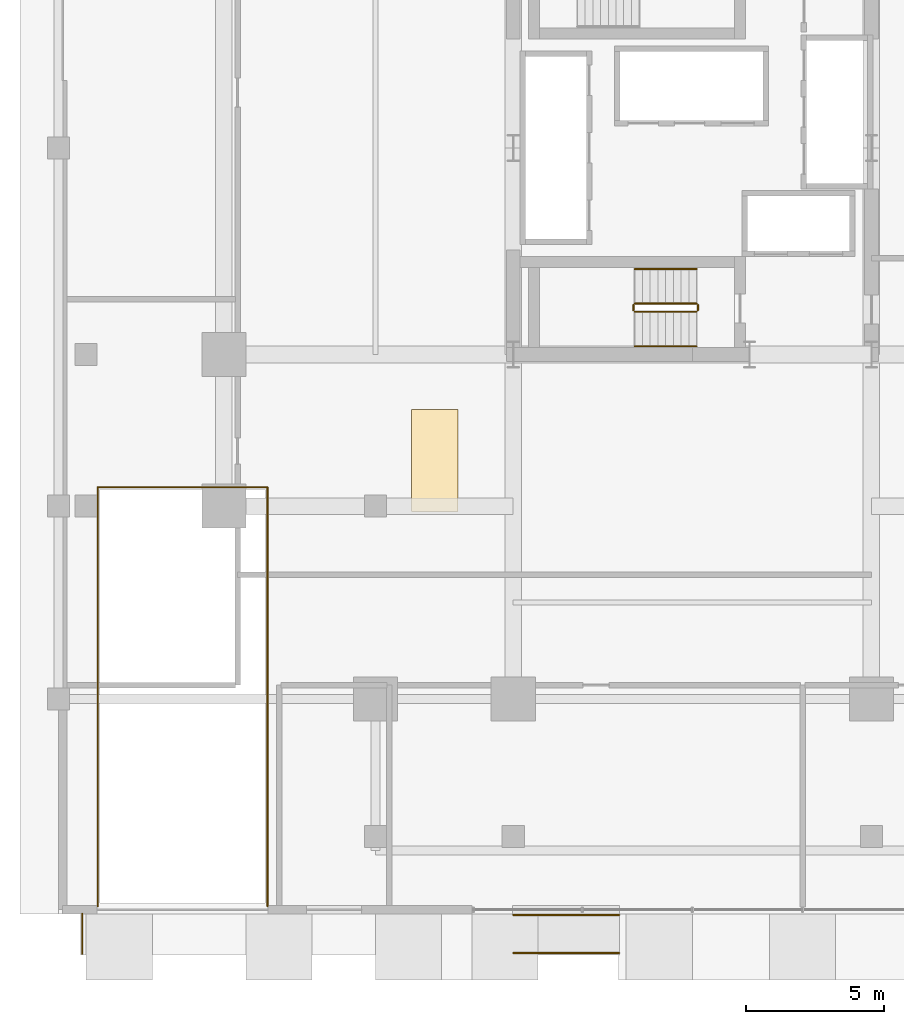
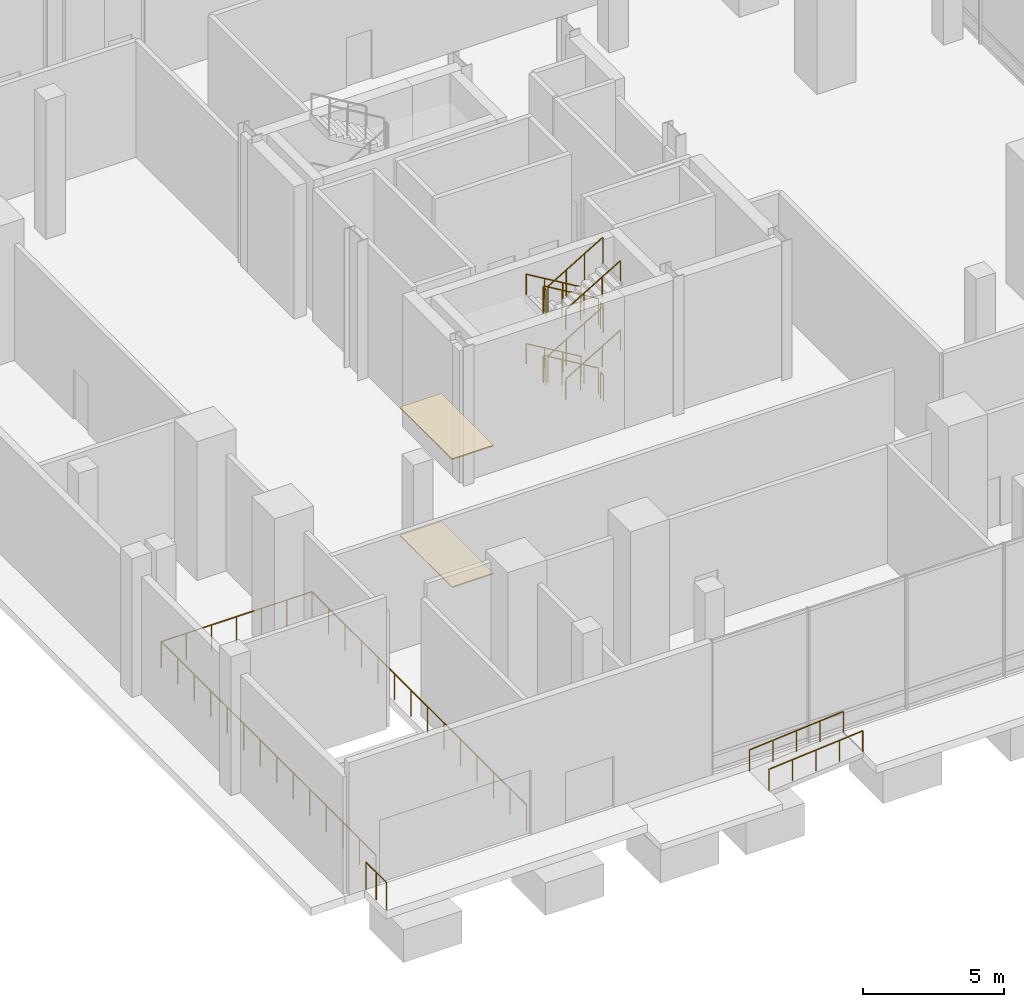
# One storey, part 30 of 34: 18 railings, 2 coverings.
"""IFC4 building model written with IfcOpenShell, lengths in metres."""

from ifc_helpers import new_model, si_unit, direction, frame, origin, origin_2d, place, context, subcontext, project, spatial, polyline, circle, outline, extrude, material, layer, layer_set, type_object, element, save


model = new_model("IFC4")

# Units and contexts
model_context = context("Model", 3, precision=1e-05, world=origin(), true_north=direction((0.0, 1.0)))
body_context = subcontext(model_context, "Body", "Model", "MODEL_VIEW")
ifc_project = project(units=[si_unit("LENGTHUNIT", "METRE"), si_unit("AREAUNIT", "SQUARE_METRE"), si_unit("VOLUMEUNIT", "CUBIC_METRE"), si_unit("PLANEANGLEUNIT", "RADIAN"), si_unit("MASSUNIT", "GRAM", prefix="KILO")], contexts=[model_context])

# Site, building, storey
site_placement = place(None, origin())
site = spatial("IfcSite", under=ifc_project, at=site_placement, CompositionType="ELEMENT")
building_placement = place(site_placement, origin())
building = spatial("IfcBuilding", under=site, at=building_placement, Name="Barlavira Tower and Art Museum", CompositionType="ELEMENT")
storey_placement = place(building_placement, origin())
storey = spatial("IfcBuildingStorey", under=building, at=storey_placement, Name="L00", CompositionType="ELEMENT", Elevation=0.0)

# Covering
ifc_material_1 = material(Name="Polished Catarinense terrazzo", Category="concrete")
ifc_layer_1 = layer(ifc_material_1, 0.0400390625, Name="Polished Catarinense terrazzo")
ifc_layer_set_1 = layer_set([ifc_layer_1], Name="Polished Catarinense terrazzo")
covering_type_1 = type_object("IfcCoveringType", Name="Gallery Terrazzo Architectural Flooring 40", PredefinedType="FLOORING", material=ifc_layer_set_1)
covering_1_placement = place(storey_placement, origin())
element("IfcCovering", 1, at=covering_1_placement, inside=storey, type_object=covering_type_1, Name="L00 Lobby Terrazzo Flooring", PredefinedType="FLOORING", context=body_context, shape_type="SweptSolid", body=[
    extrude(outline(polyline([(-10.199951171875, -13.199951171875), (-8.5, -13.199951171875), (-8.5, -9.5), (-10.199951171875, -9.5), (-10.199951171875, -13.199951171875)])), origin(), (0.0, 0.0, 1.0), 0.0400390625),
])

# Railings
ifc_material_2 = material(Name="Brushed stainless steel", Category="steel")
railing_type_1 = type_object("IfcRailingType", Name="Interior Void and Landing Guard Railing 1150", PredefinedType="GUARDRAIL", material=ifc_material_2)
railing_1_placement = place(storey_placement, frame((0.14990234375, -5.64990234375, 0.166748046875)))
element("IfcRailing", 2, at=railing_1_placement, inside=storey, type_object=railing_type_1, Name="L00 ST-T1 stair guard 1", PredefinedType="GUARDRAIL", context=body_context, shape_type="SweptSolid", body=[
    extrude(circle(Radius=0.02392578125, at=origin_2d()), frame((0.0, 0.0, 1.1259765625), z_axis=(-0.859305625298, 0.0, 0.511462454469), x_axis=(0.0, -1.0, 0.0)), (0.0, 0.0, 1.0), 2.606689453125),
    extrude(circle(Radius=0.02099609375, at=origin_2d()), origin(), (0.0, 0.0, 1.0), 1.101806640625),
    extrude(circle(Radius=0.02099609375, at=origin_2d()), frame((-0.74658203125, 0.0, 0.4443359375)), (0.0, 0.0, 1.0), 1.101806640625),
    extrude(circle(Radius=0.02099609375, at=origin_2d()), frame((-1.493408203125, 0.0, 0.888916015625)), (0.0, 0.0, 1.0), 1.101806640625),
    extrude(circle(Radius=0.02099609375, at=origin_2d()), frame((-2.239990234375, 0.0, 1.333251953125)), (0.0, 0.0, 1.0), 1.101806640625),
])
railing_2_placement = place(storey_placement, frame((-2.139892578125, -5.699951171875, 1.5)))
element("IfcRailing", 3, at=railing_2_placement, inside=storey, type_object=railing_type_1, Name="L00 ST-T1 stair guard 2", PredefinedType="GUARDRAIL", context=body_context, shape_type="SweptSolid", body=[
    extrude(circle(Radius=0.02392578125, at=origin_2d()), frame((0.0, 0.0, 1.1259765625), z_axis=(0.0, -1.0, 0.0), x_axis=(1.0, 0.0, 0.0)), (0.0, 0.0, 1.0), 0.199951171875),
    extrude(circle(Radius=0.02099609375, at=origin_2d()), origin(), (0.0, 0.0, 1.0), 1.101806640625),
    extrude(circle(Radius=0.02099609375, at=origin_2d()), frame((0.0, -0.199951171875, 0.0)), (0.0, 0.0, 1.0), 1.101806640625),
])
railing_3_placement = place(storey_placement, frame((-2.090087890625, -5.949951171875, 1.666748046875)))
element("IfcRailing", 4, at=railing_3_placement, inside=storey, type_object=railing_type_1, Name="L00 ST-T1 stair guard 3", PredefinedType="GUARDRAIL", context=body_context, shape_type="SweptSolid", body=[
    extrude(circle(Radius=0.02392578125, at=origin_2d()), frame((0.0, 0.0, 1.1259765625), z_axis=(0.859305625298, 0.0, 0.511462454469), x_axis=(0.0, 1.0, 0.0)), (0.0, 0.0, 1.0), 2.606689453125),
    extrude(circle(Radius=0.02099609375, at=origin_2d()), origin(), (0.0, 0.0, 1.0), 1.101806640625),
    extrude(circle(Radius=0.02099609375, at=origin_2d()), frame((0.74658203125, 0.0, 0.4443359375)), (0.0, 0.0, 1.0), 1.101806640625),
    extrude(circle(Radius=0.02099609375, at=origin_2d()), frame((1.493408203125, 0.0, 0.888916015625)), (0.0, 0.0, 1.0), 1.101806640625),
    extrude(circle(Radius=0.02099609375, at=origin_2d()), frame((2.239990234375, 0.0, 1.333251953125)), (0.0, 0.0, 1.0), 1.101806640625),
])
railing_4_placement = place(storey_placement, frame((0.199951171875, -5.699951171875, 3.0)))
element("IfcRailing", 5, at=railing_4_placement, inside=storey, type_object=railing_type_1, Name="L00 ST-T1 stair guard 4", PredefinedType="GUARDRAIL", context=body_context, shape_type="SweptSolid", body=[
    extrude(circle(Radius=0.02392578125, at=origin_2d()), frame((0.0, 0.0, 1.1259765625), z_axis=(0.0, -1.0, 0.0), x_axis=(1.0, 0.0, 0.0)), (0.0, 0.0, 1.0), 0.199951171875),
    extrude(circle(Radius=0.02099609375, at=origin_2d()), origin(), (0.0, 0.0, 1.0), 1.101806640625),
    extrude(circle(Radius=0.02099609375, at=origin_2d()), frame((0.0, -0.199951171875, 0.0)), (0.0, 0.0, 1.0), 1.101806640625),
])
railing_5_placement = place(storey_placement, frame((0.14990234375, -5.64990234375, 3.166748046875)))
element("IfcRailing", 6, at=railing_5_placement, inside=storey, type_object=railing_type_1, Name="L00 ST-T1 stair guard 5", PredefinedType="GUARDRAIL", context=body_context, shape_type="SweptSolid", body=[
    extrude(circle(Radius=0.02392578125, at=origin_2d()), frame((0.0, 0.0, 1.1259765625), z_axis=(-0.859305625298, 0.0, 0.511462454469), x_axis=(0.0, -1.0, 0.0)), (0.0, 0.0, 1.0), 2.606689453125),
    extrude(circle(Radius=0.02099609375, at=origin_2d()), origin(), (0.0, 0.0, 1.0), 1.101806640625),
    extrude(circle(Radius=0.02099609375, at=origin_2d()), frame((-0.74658203125, 0.0, 0.4443359375)), (0.0, 0.0, 1.0), 1.101806640625),
    extrude(circle(Radius=0.02099609375, at=origin_2d()), frame((-1.493408203125, 0.0, 0.888916015625)), (0.0, 0.0, 1.0), 1.101806640625),
    extrude(circle(Radius=0.02099609375, at=origin_2d()), frame((-2.239990234375, 0.0, 1.333251953125)), (0.0, 0.0, 1.0), 1.101806640625),
])
railing_6_placement = place(storey_placement, frame((-2.139892578125, -5.699951171875, 4.5)))
element("IfcRailing", 7, at=railing_6_placement, inside=storey, type_object=railing_type_1, Name="L00 ST-T1 stair guard 6", PredefinedType="GUARDRAIL", context=body_context, shape_type="SweptSolid", body=[
    extrude(circle(Radius=0.02392578125, at=origin_2d()), frame((0.0, 0.0, 1.1259765625), z_axis=(0.0, -1.0, 0.0), x_axis=(1.0, 0.0, 0.0)), (0.0, 0.0, 1.0), 0.199951171875),
    extrude(circle(Radius=0.02099609375, at=origin_2d()), origin(), (0.0, 0.0, 1.0), 1.101806640625),
    extrude(circle(Radius=0.02099609375, at=origin_2d()), frame((0.0, -0.199951171875, 0.0)), (0.0, 0.0, 1.0), 1.101806640625),
])
railing_7_placement = place(storey_placement, frame((-2.090087890625, -5.949951171875, 4.666748046875)))
element("IfcRailing", 8, at=railing_7_placement, inside=storey, type_object=railing_type_1, Name="L00 ST-T1 stair guard 7", PredefinedType="GUARDRAIL", context=body_context, shape_type="SweptSolid", body=[
    extrude(circle(Radius=0.02392578125, at=origin_2d()), frame((0.0, 0.0, 1.1259765625), z_axis=(0.859305625298, 0.0, 0.511462454469), x_axis=(0.0, 1.0, 0.0)), (0.0, 0.0, 1.0), 2.606689453125),
    extrude(circle(Radius=0.02099609375, at=origin_2d()), origin(), (0.0, 0.0, 1.0), 1.101806640625),
    extrude(circle(Radius=0.02099609375, at=origin_2d()), frame((0.74658203125, 0.0, 0.4443359375)), (0.0, 0.0, 1.0), 1.101806640625),
    extrude(circle(Radius=0.02099609375, at=origin_2d()), frame((1.493408203125, 0.0, 0.888916015625)), (0.0, 0.0, 1.0), 1.101806640625),
    extrude(circle(Radius=0.02099609375, at=origin_2d()), frame((2.239990234375, 0.0, 1.333251953125)), (0.0, 0.0, 1.0), 1.101806640625),
])
railing_8_placement = place(storey_placement, frame((0.199951171875, -5.699951171875, 0.0)))
element("IfcRailing", 9, at=railing_8_placement, inside=storey, type_object=railing_type_1, Name="L00 ST-T1 stair guard 8", PredefinedType="GUARDRAIL", context=body_context, shape_type="SweptSolid", body=[
    extrude(circle(Radius=0.02392578125, at=origin_2d()), frame((0.0, 0.0, 1.1259765625), z_axis=(0.0, -1.0, 0.0), x_axis=(1.0, 0.0, 0.0)), (0.0, 0.0, 1.0), 0.199951171875),
    extrude(circle(Radius=0.02099609375, at=origin_2d()), origin(), (0.0, 0.0, 1.0), 1.101806640625),
    extrude(circle(Radius=0.02099609375, at=origin_2d()), frame((0.0, -0.199951171875, 0.0)), (0.0, 0.0, 1.0), 1.101806640625),
])
railing_9_placement = place(storey_placement, frame((-21.580078125, -27.52001953125, 0.0)))
element("IfcRailing", 10, at=railing_9_placement, inside=storey, type_object=railing_type_1, Name="L00 Vehicle Ramp West Deck Guard", PredefinedType="GUARDRAIL", context=body_context, shape_type="SweptSolid", body=[
    extrude(circle(Radius=0.02392578125, at=origin_2d()), frame((0.0, 0.0, 1.1259765625), z_axis=(0.0, 1.0, 0.0), x_axis=(-1.0, 0.0, 0.0)), (0.0, 0.0, 1.0), 15.199951171875),
    extrude(circle(Radius=0.02099609375, at=origin_2d()), origin(), (0.0, 0.0, 1.0), 1.101806640625),
    extrude(circle(Radius=0.02099609375, at=origin_2d()), frame((0.0, 1.169189453125, 0.0)), (0.0, 0.0, 1.0), 1.101806640625),
    extrude(circle(Radius=0.02099609375, at=origin_2d()), frame((0.0, 2.33837890625, 0.0)), (0.0, 0.0, 1.0), 1.101806640625),
    extrude(circle(Radius=0.02099609375, at=origin_2d()), frame((0.0, 3.507568359375, 0.0)), (0.0, 0.0, 1.0), 1.101806640625),
    extrude(circle(Radius=0.02099609375, at=origin_2d()), frame((0.0, 4.677001953125, 0.0)), (0.0, 0.0, 1.0), 1.101806640625),
    extrude(circle(Radius=0.02099609375, at=origin_2d()), frame((0.0, 5.84619140625, 0.0)), (0.0, 0.0, 1.0), 1.101806640625),
    extrude(circle(Radius=0.02099609375, at=origin_2d()), frame((0.0, 7.015380859375, 0.0)), (0.0, 0.0, 1.0), 1.101806640625),
    extrude(circle(Radius=0.02099609375, at=origin_2d()), frame((0.0, 8.1845703125, 0.0)), (0.0, 0.0, 1.0), 1.101806640625),
    extrude(circle(Radius=0.02099609375, at=origin_2d()), frame((0.0, 9.353759765625, 0.0)), (0.0, 0.0, 1.0), 1.101806640625),
    extrude(circle(Radius=0.02099609375, at=origin_2d()), frame((0.0, 10.52294921875, 0.0)), (0.0, 0.0, 1.0), 1.101806640625),
    extrude(circle(Radius=0.02099609375, at=origin_2d()), frame((0.0, 11.6923828125, 0.0)), (0.0, 0.0, 1.0), 1.101806640625),
    extrude(circle(Radius=0.02099609375, at=origin_2d()), frame((0.0, 12.861572265625, 0.0)), (0.0, 0.0, 1.0), 1.101806640625),
    extrude(circle(Radius=0.02099609375, at=origin_2d()), frame((0.0, 14.03076171875, 0.0)), (0.0, 0.0, 1.0), 1.101806640625),
    extrude(circle(Radius=0.02099609375, at=origin_2d()), frame((0.0, 15.199951171875, 0.0)), (0.0, 0.0, 1.0), 1.101806640625),
])
railing_10_placement = place(storey_placement, frame((-15.419921875, -27.52001953125, 0.0)))
element("IfcRailing", 11, at=railing_10_placement, inside=storey, type_object=railing_type_1, Name="L00 Vehicle Ramp East Deck Guard", PredefinedType="GUARDRAIL", context=body_context, shape_type="SweptSolid", body=[
    extrude(circle(Radius=0.02392578125, at=origin_2d()), frame((0.0, 0.0, 1.1259765625), z_axis=(0.0, 1.0, 0.0), x_axis=(-1.0, 0.0, 0.0)), (0.0, 0.0, 1.0), 15.199951171875),
    extrude(circle(Radius=0.02099609375, at=origin_2d()), origin(), (0.0, 0.0, 1.0), 1.101806640625),
    extrude(circle(Radius=0.02099609375, at=origin_2d()), frame((0.0, 1.169189453125, 0.0)), (0.0, 0.0, 1.0), 1.101806640625),
    extrude(circle(Radius=0.02099609375, at=origin_2d()), frame((0.0, 2.33837890625, 0.0)), (0.0, 0.0, 1.0), 1.101806640625),
    extrude(circle(Radius=0.02099609375, at=origin_2d()), frame((0.0, 3.507568359375, 0.0)), (0.0, 0.0, 1.0), 1.101806640625),
    extrude(circle(Radius=0.02099609375, at=origin_2d()), frame((0.0, 4.677001953125, 0.0)), (0.0, 0.0, 1.0), 1.101806640625),
    extrude(circle(Radius=0.02099609375, at=origin_2d()), frame((0.0, 5.84619140625, 0.0)), (0.0, 0.0, 1.0), 1.101806640625),
    extrude(circle(Radius=0.02099609375, at=origin_2d()), frame((0.0, 7.015380859375, 0.0)), (0.0, 0.0, 1.0), 1.101806640625),
    extrude(circle(Radius=0.02099609375, at=origin_2d()), frame((0.0, 8.1845703125, 0.0)), (0.0, 0.0, 1.0), 1.101806640625),
    extrude(circle(Radius=0.02099609375, at=origin_2d()), frame((0.0, 9.353759765625, 0.0)), (0.0, 0.0, 1.0), 1.101806640625),
    extrude(circle(Radius=0.02099609375, at=origin_2d()), frame((0.0, 10.52294921875, 0.0)), (0.0, 0.0, 1.0), 1.101806640625),
    extrude(circle(Radius=0.02099609375, at=origin_2d()), frame((0.0, 11.6923828125, 0.0)), (0.0, 0.0, 1.0), 1.101806640625),
    extrude(circle(Radius=0.02099609375, at=origin_2d()), frame((0.0, 12.861572265625, 0.0)), (0.0, 0.0, 1.0), 1.101806640625),
    extrude(circle(Radius=0.02099609375, at=origin_2d()), frame((0.0, 14.03076171875, 0.0)), (0.0, 0.0, 1.0), 1.101806640625),
    extrude(circle(Radius=0.02099609375, at=origin_2d()), frame((0.0, 15.199951171875, 0.0)), (0.0, 0.0, 1.0), 1.101806640625),
])
railing_11_placement = place(storey_placement, frame((-21.580078125, -12.320068359375, 0.0)))
element("IfcRailing", 12, at=railing_11_placement, inside=storey, type_object=railing_type_1, Name="L00 Vehicle Ramp North Head Guard", PredefinedType="GUARDRAIL", context=body_context, shape_type="SweptSolid", body=[
    extrude(circle(Radius=0.02392578125, at=origin_2d()), frame((0.0, 0.0, 1.1259765625), z_axis=(1.0, 0.0, 0.0), x_axis=(0.0, 1.0, 0.0)), (0.0, 0.0, 1.0), 6.16015625),
    extrude(circle(Radius=0.02099609375, at=origin_2d()), origin(), (0.0, 0.0, 1.0), 1.101806640625),
    extrude(circle(Radius=0.02099609375, at=origin_2d()), frame((1.026611328125, 0.0, 0.0)), (0.0, 0.0, 1.0), 1.101806640625),
    extrude(circle(Radius=0.02099609375, at=origin_2d()), frame((2.053466796875, 0.0, 0.0)), (0.0, 0.0, 1.0), 1.101806640625),
    extrude(circle(Radius=0.02099609375, at=origin_2d()), frame((3.080078125, 0.0, 0.0)), (0.0, 0.0, 1.0), 1.101806640625),
    extrude(circle(Radius=0.02099609375, at=origin_2d()), frame((4.106689453125, 0.0, 0.0)), (0.0, 0.0, 1.0), 1.101806640625),
    extrude(circle(Radius=0.02099609375, at=origin_2d()), frame((5.133544921875, 0.0, 0.0)), (0.0, 0.0, 1.0), 1.101806640625),
    extrude(circle(Radius=0.02099609375, at=origin_2d()), frame((6.16015625, 0.0, 0.0)), (0.0, 0.0, 1.0), 1.101806640625),
])

# Covering
ifc_material_3 = material(Name="FSC acoustic timber slat", Category="wood")
ifc_layer_2 = layer(ifc_material_3, 0.050048828125, Name="FSC acoustic timber slat")
ifc_layer_set_2 = layer_set([ifc_layer_2], Name="FSC acoustic timber slat")
covering_type_2 = type_object("IfcCoveringType", Name="Lobby Acoustic Timber-Slat Suspended Ceiling 50", PredefinedType="CEILING", material=ifc_layer_set_2)
covering_2_placement = place(storey_placement, frame((0.0, 0.0, 5.52001953125)))
element("IfcCovering", 13, at=covering_2_placement, inside=storey, type_object=covering_type_2, Name="L00 Lobby Acoustic Timber Ceiling", PredefinedType="CEILING", context=body_context, shape_type="SweptSolid", body=[
    extrude(outline(polyline([(-10.199951171875, -13.199951171875), (-8.5, -13.199951171875), (-8.5, -9.5), (-10.199951171875, -9.5), (-10.199951171875, -13.199951171875)])), origin(), (0.0, 0.0, 1.0), 0.050048828125),
])

# Railings
railing_type_2 = type_object("IfcRailingType", Name="Stair Pitch Tubular Steel Handrail 920", PredefinedType="HANDRAIL", material=ifc_material_2)
railing_12_placement = place(storey_placement, frame((0.14990234375, -4.39990234375, 0.166748046875)))
element("IfcRailing", 14, at=railing_12_placement, inside=storey, type_object=railing_type_2, Name="L00 ST-T1 stair handrail 1", PredefinedType="HANDRAIL", context=body_context, shape_type="SweptSolid", body=[
    extrude(circle(Radius=0.02392578125, at=origin_2d()), frame((0.0, 0.0, 0.8759765625), z_axis=(-0.859305625298, 0.0, 0.511462454469), x_axis=(0.0, -1.0, 0.0)), (0.0, 0.0, 1.0), 2.606689453125),
    extrude(circle(Radius=0.02099609375, at=origin_2d()), origin(), (0.0, 0.0, 1.0), 0.851806640625),
    extrude(circle(Radius=0.02099609375, at=origin_2d()), frame((-0.74658203125, 0.0, 0.4443359375)), (0.0, 0.0, 1.0), 0.851806640625),
    extrude(circle(Radius=0.02099609375, at=origin_2d()), frame((-1.493408203125, 0.0, 0.888916015625)), (0.0, 0.0, 1.0), 0.851806640625),
    extrude(circle(Radius=0.02099609375, at=origin_2d()), frame((-2.239990234375, 0.0, 1.333251953125)), (0.0, 0.0, 1.0), 0.851806640625),
])
railing_13_placement = place(storey_placement, frame((-2.090087890625, -7.199951171875, 1.666748046875)))
element("IfcRailing", 15, at=railing_13_placement, inside=storey, type_object=railing_type_2, Name="L00 ST-T1 stair handrail 2", PredefinedType="HANDRAIL", context=body_context, shape_type="SweptSolid", body=[
    extrude(circle(Radius=0.02392578125, at=origin_2d()), frame((0.0, 0.0, 0.8759765625), z_axis=(0.859305625298, 0.0, 0.511462454469), x_axis=(0.0, 1.0, 0.0)), (0.0, 0.0, 1.0), 2.606689453125),
    extrude(circle(Radius=0.02099609375, at=origin_2d()), origin(), (0.0, 0.0, 1.0), 0.851806640625),
    extrude(circle(Radius=0.02099609375, at=origin_2d()), frame((0.74658203125, 0.0, 0.4443359375)), (0.0, 0.0, 1.0), 0.851806640625),
    extrude(circle(Radius=0.02099609375, at=origin_2d()), frame((1.493408203125, 0.0, 0.888916015625)), (0.0, 0.0, 1.0), 0.851806640625),
    extrude(circle(Radius=0.02099609375, at=origin_2d()), frame((2.239990234375, 0.0, 1.333251953125)), (0.0, 0.0, 1.0), 0.851806640625),
])
railing_14_placement = place(storey_placement, frame((0.14990234375, -4.39990234375, 3.166748046875)))
element("IfcRailing", 16, at=railing_14_placement, inside=storey, type_object=railing_type_2, Name="L00 ST-T1 stair handrail 3", PredefinedType="HANDRAIL", context=body_context, shape_type="SweptSolid", body=[
    extrude(circle(Radius=0.02392578125, at=origin_2d()), frame((0.0, 0.0, 0.8759765625), z_axis=(-0.859305625298, 0.0, 0.511462454469), x_axis=(0.0, -1.0, 0.0)), (0.0, 0.0, 1.0), 2.606689453125),
    extrude(circle(Radius=0.02099609375, at=origin_2d()), origin(), (0.0, 0.0, 1.0), 0.851806640625),
    extrude(circle(Radius=0.02099609375, at=origin_2d()), frame((-0.74658203125, 0.0, 0.4443359375)), (0.0, 0.0, 1.0), 0.851806640625),
    extrude(circle(Radius=0.02099609375, at=origin_2d()), frame((-1.493408203125, 0.0, 0.888916015625)), (0.0, 0.0, 1.0), 0.851806640625),
    extrude(circle(Radius=0.02099609375, at=origin_2d()), frame((-2.239990234375, 0.0, 1.333251953125)), (0.0, 0.0, 1.0), 0.851806640625),
])
railing_15_placement = place(storey_placement, frame((-2.090087890625, -7.199951171875, 4.666748046875)))
element("IfcRailing", 17, at=railing_15_placement, inside=storey, type_object=railing_type_2, Name="L00 ST-T1 stair handrail 4", PredefinedType="HANDRAIL", context=body_context, shape_type="SweptSolid", body=[
    extrude(circle(Radius=0.02392578125, at=origin_2d()), frame((0.0, 0.0, 0.8759765625), z_axis=(0.859305625298, 0.0, 0.511462454469), x_axis=(0.0, 1.0, 0.0)), (0.0, 0.0, 1.0), 2.606689453125),
    extrude(circle(Radius=0.02099609375, at=origin_2d()), origin(), (0.0, 0.0, 1.0), 0.851806640625),
    extrude(circle(Radius=0.02099609375, at=origin_2d()), frame((0.74658203125, 0.0, 0.4443359375)), (0.0, 0.0, 1.0), 0.851806640625),
    extrude(circle(Radius=0.02099609375, at=origin_2d()), frame((1.493408203125, 0.0, 0.888916015625)), (0.0, 0.0, 1.0), 0.851806640625),
    extrude(circle(Radius=0.02099609375, at=origin_2d()), frame((2.239990234375, 0.0, 1.333251953125)), (0.0, 0.0, 1.0), 0.851806640625),
])
for number, where, name in (
    (18, (-6.5, -29.219970703125, -0.320068359375), "Tower Esplanade Step-Free Entry Ramp Handrail 1"),
    (19, (-6.5, -27.840087890625, -0.320068359375), "Tower Esplanade Step-Free Entry Ramp Handrail 2"),
):
    element("IfcRailing", number, at=place(storey_placement, frame(where)), inside=storey, type_object=railing_type_2, Name=name, PredefinedType="HANDRAIL", context=body_context, shape_type="SweptSolid", body=[
        extrude(circle(Radius=0.02392578125, at=origin_2d()), frame((0.0, 0.0, 0.89599609375), z_axis=(0.996544447283, 0.0, 0.083061209892), x_axis=(0.0, 1.0, 0.0)), (0.0, 0.0, 1.0), 3.853515625),
        extrude(circle(Radius=0.02099609375, at=origin_2d()), origin(), (0.0, 0.0, 1.0), 0.871826171875),
        extrude(circle(Radius=0.02099609375, at=origin_2d()), frame((0.9599609375, 0.0, 0.080078125)), (0.0, 0.0, 1.0), 0.871826171875),
        extrude(circle(Radius=0.02099609375, at=origin_2d()), frame((1.919921875, 0.0, 0.16015625)), (0.0, 0.0, 1.0), 0.871826171875),
        extrude(circle(Radius=0.02099609375, at=origin_2d()), frame((2.880126953125, 0.0, 0.239990234375)), (0.0, 0.0, 1.0), 0.871826171875),
        extrude(circle(Radius=0.02099609375, at=origin_2d()), frame((3.840087890625, 0.0, 0.320068359375)), (0.0, 0.0, 1.0), 0.871826171875),
    ])
ifc_material_4 = material(Name="Laminated safety glass and stainless steel", Category="steel")
railing_type_3 = type_object("IfcRailingType", Name="Terrace and Wind-Floor Laminated Glass Balustrade 1200", PredefinedType="BALUSTRADE", material=ifc_material_4)
railing_16_placement = place(storey_placement, frame((-22.139892578125, -27.800048828125, 0.0)))
element("IfcRailing", 20, at=railing_16_placement, inside=storey, type_object=railing_type_3, Name="L00 South-West Apron Side Balustrade", PredefinedType="BALUSTRADE", context=body_context, shape_type="SweptSolid", body=[
    extrude(circle(Radius=0.02392578125, at=origin_2d()), frame((0.0, 0.0, 1.17578125), z_axis=(0.0, -1.0, 0.0), x_axis=(1.0, 0.0, 0.0)), (0.0, 0.0, 1.0), 1.43994140625),
    extrude(circle(Radius=0.02099609375, at=origin_2d()), origin(), (0.0, 0.0, 1.0), 1.15185546875),
    extrude(circle(Radius=0.02099609375, at=origin_2d()), frame((0.0, -0.719970703125, 0.0)), (0.0, 0.0, 1.0), 1.15185546875),
    extrude(circle(Radius=0.02099609375, at=origin_2d()), frame((0.0, -1.43994140625, 0.0)), (0.0, 0.0, 1.0), 1.15185546875),
])

save(model, "model.ifc")
